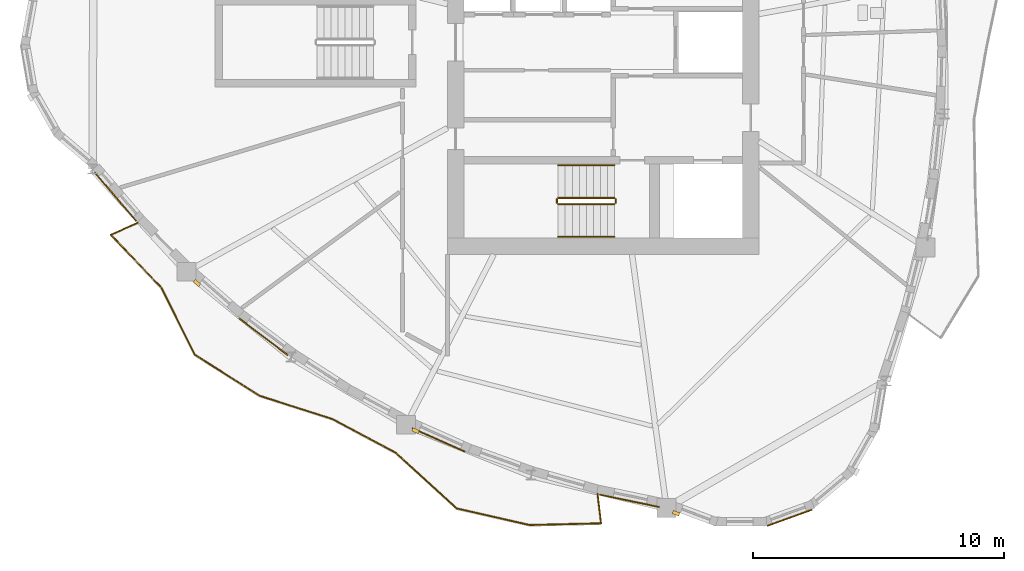
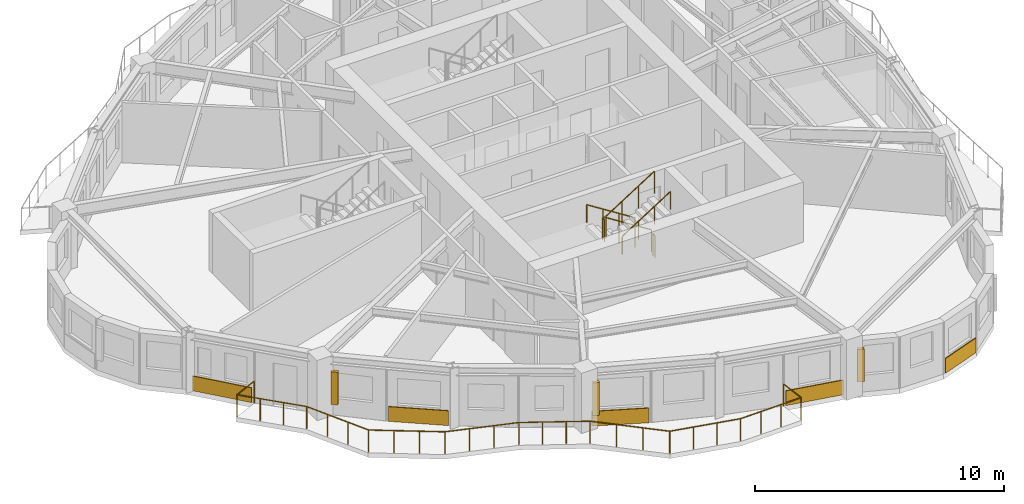
# One storey, part 9 of 12: 7 railings, 5 coverings, 3 shading devices.
"""IFC4 building model written with IfcOpenShell, lengths in metres."""

import ifcopenshell
import ifcopenshell.guid

model = None  # the IFC model being written
_history = None  # IfcOwnerHistory: only IFC2X3 demands one
_inside = {}  # id of a spatial element -> (the spatial element, [elements in it])
_under = {}  # id of a project, library or spatial element -> (it, [spatial elements below it])
_declared = {}  # id of a project -> (the project, [libraries it declares])
_typed = {}  # id of a type object -> (the type object, [elements of that type])
_made_of = {}  # id of a material, layer set ... -> (it, [elements and type objects made of it])


def new_model(schema):
    """Start an empty IFC model of exactly this schema.

    Asked for "IFC4X3", IfcOpenShell would pick the latest addendum, in which some entities
    have other attributes; the version numbers below select the first issue.
    IFC2X3 requires an IfcOwnerHistory on every rooted entity: one is made here for all.
    """
    global model, _history
    if schema == "IFC4X3":
        model = ifcopenshell.file(schema_version=(4, 3, 0, 0))
    else:
        model = ifcopenshell.file(schema=schema)
    _inside.clear()
    _under.clear()
    _declared.clear()
    _typed.clear()
    _made_of.clear()
    _history = None
    if model.schema == "IFC2X3":
        org = make("IfcOrganization", Name="unknown")
        user = make(
            "IfcPersonAndOrganization",
            ThePerson=make("IfcPerson", FamilyName="unknown"),
            TheOrganization=org,
        )
        app = make(
            "IfcApplication",
            ApplicationDeveloper=org,
            Version="unknown",
            ApplicationFullName="unknown",
            ApplicationIdentifier="unknown",
        )
        _history = make(
            "IfcOwnerHistory",
            OwningUser=user,
            OwningApplication=app,
            ChangeAction="ADDED",
            CreationDate=0,
        )
    return model


def make(cls, **values):
    """One entity of the class cls with the attributes given. An attribute that is None is left unset."""
    return model.create_entity(
        cls, **{name: value for name, value in values.items() if value is not None}
    )


def rooted(cls, **values):
    """An entity with a GlobalId (a new one), such as an element, a storey or a relation."""
    return make(cls, GlobalId=ifcopenshell.guid.new(), OwnerHistory=_history, **values)


def si_unit(unit_type, name, prefix=None):
    """IfcSIUnit, for example si_unit("LENGTHUNIT", "METRE", prefix="MILLI")."""
    return make("IfcSIUnit", UnitType=unit_type, Prefix=prefix, Name=name)


def assignment(units):
    """IfcUnitAssignment: the units of a project."""
    return None if units is None else make("IfcUnitAssignment", Units=units)


def point(xyz):
    """IfcCartesianPoint."""
    return None if xyz is None else make("IfcCartesianPoint", Coordinates=xyz)


def direction(xyz):
    """IfcDirection."""
    return None if xyz is None else make("IfcDirection", DirectionRatios=xyz)


def frame(location, z_axis=None, x_axis=None):
    """IfcAxis2Placement3D, a coordinate frame: its origin and axes. An axis left out is left unset."""
    return make(
        "IfcAxis2Placement3D",
        Location=point(location),
        Axis=direction(z_axis),
        RefDirection=direction(x_axis),
    )


def frame_2d(location, x_axis=None):
    """IfcAxis2Placement2D, a coordinate frame in the plane: its origin and x axis."""
    return make(
        "IfcAxis2Placement2D", Location=point(location), RefDirection=direction(x_axis)
    )


def origin():
    """The frame at (0, 0, 0) with its axes left unset."""
    return frame((0.0, 0.0, 0.0))


def origin_2d():
    """The frame at (0, 0) in the plane with its x axis left unset."""
    return frame_2d((0.0, 0.0))


def place(relative_to, where):
    """IfcLocalPlacement: puts the frame where relative to a parent placement (None: the world)."""
    return make(
        "IfcLocalPlacement", PlacementRelTo=relative_to, RelativePlacement=where
    )


def context(
    kind, dimensions, precision=None, world=None, true_north=None, identifier=None
):
    """IfcGeometricRepresentationContext, for example the 3D "Model" context."""
    return make(
        "IfcGeometricRepresentationContext",
        ContextIdentifier=identifier,
        ContextType=kind,
        CoordinateSpaceDimension=dimensions,
        Precision=precision,
        WorldCoordinateSystem=world,
        TrueNorth=true_north,
    )


def subcontext(parent, identifier, kind, view, scale=None):
    """IfcGeometricRepresentationSubContext, for example "Body" below "Model"."""
    return make(
        "IfcGeometricRepresentationSubContext",
        ContextIdentifier=identifier,
        ContextType=kind,
        ParentContext=parent,
        TargetScale=scale,
        TargetView=view,
    )


def project(units=None, contexts=None):
    """IfcProject with its units and contexts."""
    return rooted(
        "IfcProject",
        Name="project",
        RepresentationContexts=contexts,
        UnitsInContext=assignment(units),
    )


def spatial(cls, under=None, at=None, **own):
    """A site, building, storey or space (cls), placed at a placement, below another one or the project."""
    s = rooted(cls, ObjectPlacement=at, **own)
    if under is not None:
        _under.setdefault(under.id(), (under, []))[1].append(s)
    return s


def profile(cls, at=None, kind="AREA", **sizes):
    """A parametric profile (cls). Its sizes go by their IFC names, for example OverallWidth=200.0."""
    return make(cls, ProfileType=kind, Position=at, **sizes)


def rectangle(**sizes):
    """IfcRectangleProfileDef."""
    return profile("IfcRectangleProfileDef", **sizes)


def circle(**sizes):
    """IfcCircleProfileDef."""
    return profile("IfcCircleProfileDef", **sizes)


def extrude(swept, where, along, depth):
    """IfcExtrudedAreaSolid: the profile swept, set in the frame where, extruded along a direction by depth."""
    return make(
        "IfcExtrudedAreaSolid",
        SweptArea=swept,
        Position=where,
        ExtrudedDirection=direction(along),
        Depth=depth,
    )


def shape(context_of_items, identifier, shape_type, items):
    """IfcShapeRepresentation: the items that make up one representation, for example the "Body"."""
    return make(
        "IfcShapeRepresentation",
        ContextOfItems=context_of_items,
        RepresentationIdentifier=identifier,
        RepresentationType=shape_type,
        Items=items,
    )


def source(mapping_origin, context_of_items, identifier, shape_type, items):
    """IfcRepresentationMap: a shape defined once, which mapped items show again and again."""
    return make(
        "IfcRepresentationMap",
        MappingOrigin=mapping_origin,
        MappedRepresentation=shape(context_of_items, identifier, shape_type, items),
    )


def transform(
    local_origin,
    x_axis=None,
    y_axis=None,
    z_axis=None,
    scale=None,
    scale2=None,
    scale3=None,
    uniform=True,
):
    """IfcCartesianTransformationOperator3D, or its non-uniform kind. x_axis, y_axis, z_axis: its Axis1, 2, 3."""
    if uniform:
        return make(
            "IfcCartesianTransformationOperator3D",
            Axis1=direction(x_axis),
            Axis2=direction(y_axis),
            LocalOrigin=point(local_origin),
            Scale=scale,
            Axis3=direction(z_axis),
        )
    return make(
        "IfcCartesianTransformationOperator3DnonUniform",
        Axis1=direction(x_axis),
        Axis2=direction(y_axis),
        LocalOrigin=point(local_origin),
        Scale=scale,
        Axis3=direction(z_axis),
        Scale2=scale2,
        Scale3=scale3,
    )


def mapped(mapping_source, mapping_target):
    """IfcMappedItem: shows the shape of a source again, moved by a transform."""
    return make(
        "IfcMappedItem", MappingSource=mapping_source, MappingTarget=mapping_target
    )


def material(Name=None, Category=None):
    """IfcMaterial."""
    return make("IfcMaterial", Name=Name, Category=Category)


def layer(
    of_material, thickness, ventilated=None, Name=None, Category=None, Priority=None
):
    """IfcMaterialLayer: one layer of a wall or slab, of a material (None: an air gap)."""
    return make(
        "IfcMaterialLayer",
        Material=of_material,
        LayerThickness=thickness,
        IsVentilated=ventilated,
        Name=Name,
        Category=Category,
        Priority=Priority,
    )


def layer_set(layers, Name=None):
    """IfcMaterialLayerSet."""
    return make("IfcMaterialLayerSet", MaterialLayers=layers, LayerSetName=Name)


def made_of(thing, what):
    """Note that an element or type object is made of a material, layer set ...; save() writes the relation."""
    if what is not None:
        _made_of.setdefault(what.id(), (what, []))[1].append(thing)
    return thing


def type_object(cls, material=None, **own):
    """A type object (cls), such as IfcWallType, which elements share."""
    return made_of(rooted(cls, **own), material)


def element(
    cls,
    number,
    at=None,
    inside=None,
    cuts=None,
    type_object=None,
    material=None,
    context=None,
    identifier="Body",
    shape_type=None,
    held_by="IfcProductDefinitionShape",
    body=None,
    shapes=None,
    **own,
):
    """One element of the class cls, such as IfcWall. Its Tag is "e" and its number.

    at: its placement. inside: the storey or other place that contains it. cuts: it is an
    opening in that element (IfcRelVoidsElement). A single representation is given by context,
    identifier, shape_type and body (its items); several are given by shapes. held_by: the class
    of the entity that holds the representations. save() writes the other relations.
    """
    e = rooted(cls, Tag="e%d" % number, ObjectPlacement=at, **own)
    if body is not None:
        shapes = [shape(context, identifier, shape_type, body)]
    if shapes is not None:
        e.Representation = make(held_by, Representations=shapes)
    if inside is not None:
        _inside.setdefault(inside.id(), (inside, []))[1].append(e)
    if cuts is not None:
        rooted(
            "IfcRelVoidsElement", RelatingBuildingElement=cuts, RelatedOpeningElement=e
        )
    if type_object is not None:
        _typed.setdefault(type_object.id(), (type_object, []))[1].append(e)
    return made_of(e, material)


def aggregate(whole, parts):
    """IfcRelAggregates: a whole, such as a stair, and the parts it consists of."""
    return rooted("IfcRelAggregates", RelatingObject=whole, RelatedObjects=parts)


def save(model, path):
    """Write the relations noted so far, then the file.

    IfcRelAggregates (storeys below a building ...), IfcRelContainedInSpatialStructure (elements
    in a storey), IfcRelDefinesByType, IfcRelAssociatesMaterial and IfcRelDeclares: one each for
    every whole, place, type object, material and project.
    """
    for whole, parts in _under.values():
        aggregate(whole, parts)
    for where, things in _inside.values():
        rooted(
            "IfcRelContainedInSpatialStructure",
            RelatedElements=things,
            RelatingStructure=where,
        )
    for kind, things in _typed.values():
        rooted("IfcRelDefinesByType", RelatedObjects=things, RelatingType=kind)
    for what, things in _made_of.values():
        rooted("IfcRelAssociatesMaterial", RelatedObjects=things, RelatingMaterial=what)
    for by, libraries in _declared.values():
        rooted("IfcRelDeclares", RelatingContext=by, RelatedDefinitions=libraries)
    model.write(path)


model = new_model("IFC4")

# Units and contexts
model_context = context("Model", 3, precision=1e-05, world=origin(), true_north=direction((0.0, 1.0)))
body_context = subcontext(model_context, "Body", "Model", "MODEL_VIEW")
ifc_project = project(units=[si_unit("LENGTHUNIT", "METRE"), si_unit("AREAUNIT", "SQUARE_METRE"), si_unit("VOLUMEUNIT", "CUBIC_METRE"), si_unit("PLANEANGLEUNIT", "RADIAN"), si_unit("MASSUNIT", "GRAM", prefix="KILO")], contexts=[model_context])

# Site, building, storey
site_placement = place(None, origin())
site = spatial("IfcSite", under=ifc_project, at=site_placement, CompositionType="ELEMENT")
building_placement = place(site_placement, origin())
building = spatial("IfcBuilding", under=site, at=building_placement, Name="Qafzar Sky-Pleat Residences", CompositionType="ELEMENT")
storey_placement = place(building_placement, frame((0.0, 0.0, 139.39990234375)))
storey = spatial("IfcBuildingStorey", under=building, at=storey_placement, Name="L41", CompositionType="ELEMENT", Elevation=139.39990234375)

# Shading devices
ifc_material_1 = material(Name="Honed Riyadh limestone solar fin", Category="masonry")
ifc_layer_1 = layer(ifc_material_1, 0.139892578125)
ifc_layer_set_1 = layer_set([ifc_layer_1], Name="Honed Riyadh limestone solar fin")
shading_device_type = type_object("IfcShadingDeviceType", Name="SHD-FIN-STONE", PredefinedType="SHUTTER", material=ifc_layer_set_1)
shared_shape_1 = source(origin(), body_context, "Body", "SweptSolid", [
    extrude(rectangle(XDim=0.139892578125, YDim=0.280029296875, at=origin_2d()), origin(), (0.0, 0.0, 1.0), 1.60009765625),
])
for number, where, z_axis, x_axis, name in (
    (1, (14.178955078125, 16.413330078125, 0.60009765625), (0.0, 0.0, 1.0), (-0.660132960779, -0.751148769615, 0.0), "L41 Limestone Solar Fin 9"),
    (2, (22.881591796875, 10.528564453125, 0.60009765625), (0.0, 0.0, 1.0), (-0.407475255667, -0.913216248223, 0.0), "L41 Limestone Solar Fin 13"),
    (3, (33.251220703125, 7.247802734375, 0.60009765625), (0.0, 0.0, 1.0), (-0.349548623526, -0.936918224709, 0.0), "L41 Limestone Solar Fin 17"),
):
    element("IfcShadingDevice", number, at=place(storey_placement, frame(where, z_axis=z_axis, x_axis=x_axis)), inside=storey, type_object=shading_device_type, Name=name, PredefinedType="SHUTTER", context=body_context, shape_type="MappedRepresentation", body=[
        mapped(shared_shape_1, transform((0.0, 0.0, 0.0), x_axis=(1.0, 0.0, 0.0), y_axis=(0.0, 1.0, 0.0), z_axis=(0.0, 0.0, 1.0), scale=1.0)),
    ])

# Railing
ifc_material_2 = material(Name="Laminated glass and bronze steel balustrade", Category="steel")
railing_type_1 = type_object("IfcRailingType", Name="RAIL-BAL-1100", PredefinedType="BALUSTRADE", material=ifc_material_2)
shared_shape_2 = source(origin(), body_context, "Body", "SweptSolid", [
    extrude(circle(Radius=0.02392578125, at=origin_2d()), frame((0.0, 0.0, 1.076171875), z_axis=(-0.913854279683, -0.40604230753, 0.0), x_axis=(0.40604230753, -0.913854279683, 0.0)), (0.0, 0.0, 1.0), 1.177978515625),
    extrude(circle(Radius=0.02392578125, at=origin_2d()), frame((-1.076416015625, -0.478271484375, 1.076171875), z_axis=(0.689122792825, -0.724644586269, 0.0), x_axis=(0.724644586269, 0.689122792825, 0.0)), (0.0, 0.0, 1.0), 2.9208984375),
    extrude(circle(Radius=0.02392578125, at=origin_2d()), frame((0.9365234375, -2.594970703125, 1.076171875), z_axis=(0.446688581475, -0.89468950546, 0.0), x_axis=(0.89468950546, 0.446688581475, 0.0)), (0.0, 0.0, 1.0), 2.9765625),
    extrude(circle(Radius=0.02392578125, at=origin_2d()), frame((2.26611328125, -5.258056640625, 1.076171875), z_axis=(0.844789039348, -0.535099503829, 0.0), x_axis=(0.535099503829, 0.844789039348, 0.0)), (0.0, 0.0, 1.0), 3.06201171875),
    extrude(circle(Radius=0.02392578125, at=origin_2d()), frame((4.852783203125, -6.896484375, 1.076171875), z_axis=(0.952897316777, -0.303293098635, 0.0), x_axis=(0.303293098635, 0.952897316777, 0.0)), (0.0, 0.0, 1.0), 3.0419921875),
    extrude(circle(Radius=0.02392578125, at=origin_2d()), frame((7.75146484375, -7.819091796875, 1.076171875), z_axis=(0.881975846581, -0.471294606428, 0.0), x_axis=(0.471294606428, 0.881975846581, 0.0)), (0.0, 0.0, 1.0), 2.851806640625),
    extrude(circle(Radius=0.02392578125, at=origin_2d()), frame((10.2666015625, -9.1630859375, 1.076171875), z_axis=(0.73837595061, -0.674389320468, 0.0), x_axis=(0.674389320468, 0.73837595061, 0.0)), (0.0, 0.0, 1.0), 3.28125),
    extrude(circle(Radius=0.02392578125, at=origin_2d()), frame((12.689453125, -11.3759765625, 1.076171875), z_axis=(0.97508449736, -0.221833773369, 0.0), x_axis=(0.221833773369, 0.97508449736, 0.0)), (0.0, 0.0, 1.0), 2.97705078125),
    extrude(circle(Radius=0.02392578125, at=origin_2d()), frame((15.59228515625, -12.036376953125, 1.076171875), z_axis=(0.999727601991, 0.023339276263, 0.0), x_axis=(-0.023339276263, 0.999727601991, 0.0)), (0.0, 0.0, 1.0), 2.84521484375),
    extrude(circle(Radius=0.02392578125, at=origin_2d()), frame((18.436767578125, -11.969970703125, 1.076171875), z_axis=(-0.117526723313, 0.993069720265, 0.0), x_axis=(-0.993069720265, -0.117526723313, 0.0)), (0.0, 0.0, 1.0), 1.177734375),
    extrude(circle(Radius=0.02099609375, at=origin_2d()), origin(), (0.0, 0.0, 1.0), 1.052001953125),
    extrude(circle(Radius=0.02099609375, at=origin_2d()), frame((-1.076416015625, -0.478271484375, 0.0)), (0.0, 0.0, 1.0), 1.052001953125),
    extrude(circle(Radius=0.02099609375, at=origin_2d()), frame((-0.405517578125, -1.183837890625, 0.0)), (0.0, 0.0, 1.0), 1.052001953125),
    extrude(circle(Radius=0.02099609375, at=origin_2d()), frame((0.265625, -1.889404296875, 0.0)), (0.0, 0.0, 1.0), 1.052001953125),
    extrude(circle(Radius=0.02099609375, at=origin_2d()), frame((0.9365234375, -2.594970703125, 0.0)), (0.0, 0.0, 1.0), 1.052001953125),
    extrude(circle(Radius=0.02099609375, at=origin_2d()), frame((1.379638671875, -3.482666015625, 0.0)), (0.0, 0.0, 1.0), 1.052001953125),
    extrude(circle(Radius=0.02099609375, at=origin_2d()), frame((1.822998046875, -4.370361328125, 0.0)), (0.0, 0.0, 1.0), 1.052001953125),
    extrude(circle(Radius=0.02099609375, at=origin_2d()), frame((2.26611328125, -5.258056640625, 0.0)), (0.0, 0.0, 1.0), 1.052001953125),
    extrude(circle(Radius=0.02099609375, at=origin_2d()), frame((3.12841796875, -5.80419921875, 0.0)), (0.0, 0.0, 1.0), 1.052001953125),
    extrude(circle(Radius=0.02099609375, at=origin_2d()), frame((3.990478515625, -6.350341796875, 0.0)), (0.0, 0.0, 1.0), 1.052001953125),
    extrude(circle(Radius=0.02099609375, at=origin_2d()), frame((4.852783203125, -6.896484375, 0.0)), (0.0, 0.0, 1.0), 1.052001953125),
    extrude(circle(Radius=0.02099609375, at=origin_2d()), frame((5.819091796875, -7.2041015625, 0.0)), (0.0, 0.0, 1.0), 1.052001953125),
    extrude(circle(Radius=0.02099609375, at=origin_2d()), frame((6.78515625, -7.511474609375, 0.0)), (0.0, 0.0, 1.0), 1.052001953125),
    extrude(circle(Radius=0.02099609375, at=origin_2d()), frame((7.75146484375, -7.819091796875, 0.0)), (0.0, 0.0, 1.0), 1.052001953125),
    extrude(circle(Radius=0.02099609375, at=origin_2d()), frame((8.58984375, -8.26708984375, 0.0)), (0.0, 0.0, 1.0), 1.052001953125),
    extrude(circle(Radius=0.02099609375, at=origin_2d()), frame((9.42822265625, -8.715087890625, 0.0)), (0.0, 0.0, 1.0), 1.052001953125),
    extrude(circle(Radius=0.02099609375, at=origin_2d()), frame((10.2666015625, -9.1630859375, 0.0)), (0.0, 0.0, 1.0), 1.052001953125),
    extrude(circle(Radius=0.02099609375, at=origin_2d()), frame((11.07421875, -9.900634765625, 0.0)), (0.0, 0.0, 1.0), 1.052001953125),
    extrude(circle(Radius=0.02099609375, at=origin_2d()), frame((11.8818359375, -10.638427734375, 0.0)), (0.0, 0.0, 1.0), 1.052001953125),
    extrude(circle(Radius=0.02099609375, at=origin_2d()), frame((12.689453125, -11.3759765625, 0.0)), (0.0, 0.0, 1.0), 1.052001953125),
    extrude(circle(Radius=0.02099609375, at=origin_2d()), frame((13.656982421875, -11.59619140625, 0.0)), (0.0, 0.0, 1.0), 1.052001953125),
    extrude(circle(Radius=0.02099609375, at=origin_2d()), frame((14.624755859375, -11.816162109375, 0.0)), (0.0, 0.0, 1.0), 1.052001953125),
    extrude(circle(Radius=0.02099609375, at=origin_2d()), frame((15.59228515625, -12.036376953125, 0.0)), (0.0, 0.0, 1.0), 1.052001953125),
    extrude(circle(Radius=0.02099609375, at=origin_2d()), frame((16.54052734375, -12.01416015625, 0.0)), (0.0, 0.0, 1.0), 1.052001953125),
    extrude(circle(Radius=0.02099609375, at=origin_2d()), frame((17.488525390625, -11.9921875, 0.0)), (0.0, 0.0, 1.0), 1.052001953125),
    extrude(circle(Radius=0.02099609375, at=origin_2d()), frame((18.436767578125, -11.969970703125, 0.0)), (0.0, 0.0, 1.0), 1.052001953125),
    extrude(circle(Radius=0.02099609375, at=origin_2d()), frame((18.29833984375, -10.80029296875, 0.0)), (0.0, 0.0, 1.0), 1.052001953125),
])
railing_1_placement = place(storey_placement, frame((11.8291015625, 18.81396484375, 0.0)))
element("IfcRailing", 4, at=railing_1_placement, inside=storey, type_object=railing_type_1, Name="L41 Pleated Balcony 3 Balustrade", PredefinedType="BALUSTRADE", context=body_context, shape_type="MappedRepresentation", body=[
    mapped(shared_shape_2, transform((0.0, 0.0, 0.0), x_axis=(1.0, 0.0, 0.0), y_axis=(0.0, 1.0, 0.0), z_axis=(0.0, 0.0, 1.0), scale=1.0)),
])

# Coverings
ifc_material_3 = material(Name="Honed Riyadh Tuwaiq limestone cladding", Category="masonry")
ifc_layer_2 = layer(ifc_material_3, 0.044921875)
ifc_layer_set_2 = layer_set([ifc_layer_2], Name="Honed Riyadh Tuwaiq limestone cladding")
covering_type = type_object("IfcCoveringType", Name="COV-CLAD-STONE", PredefinedType="CLADDING", material=ifc_layer_set_2)
shared_shape_3 = source(origin(), body_context, "Body", "SweptSolid", [
    extrude(rectangle(XDim=2.540771484375, YDim=0.044921875, at=origin_2d()), origin(), (0.0, 0.0, 1.0), 0.719970703125),
])
covering_1_placement = place(storey_placement, frame((10.93017578125, 19.847900390625, 0.02001953125), z_axis=(0.0, 0.0, 1.0), x_axis=(0.650356635894, -0.759629018764, 0.0)))
element("IfcCovering", 5, at=covering_1_placement, inside=storey, type_object=covering_type, Name="L41 Riyadh Limestone Spandrel Cladding 7", PredefinedType="CLADDING", context=body_context, shape_type="MappedRepresentation", body=[
    mapped(shared_shape_3, transform((0.0, 0.0, 0.0), x_axis=(1.0, 0.0, 0.0), y_axis=(0.0, 1.0, 0.0), z_axis=(0.0, 0.0, 1.0), scale=1.0)),
])
shared_shape_4 = source(origin(), body_context, "Body", "SweptSolid", [
    extrude(rectangle(XDim=2.42041015625, YDim=0.044921875, at=origin_2d()), origin(), (0.0, 0.0, 1.0), 0.719970703125),
])
covering_2_placement = place(storey_placement, frame((16.825927734375, 14.2734375, 0.02001953125), z_axis=(0.0, 0.0, 1.0), x_axis=(0.798068371718, -0.602566904222, 0.0)))
element("IfcCovering", 6, at=covering_2_placement, inside=storey, type_object=covering_type, Name="L41 Riyadh Limestone Spandrel Cladding 10", PredefinedType="CLADDING", context=body_context, shape_type="MappedRepresentation", body=[
    mapped(shared_shape_4, transform((0.0, 0.0, 0.0), x_axis=(1.0, 0.0, 0.0), y_axis=(0.0, 1.0, 0.0), z_axis=(0.0, 0.0, 1.0), scale=1.0)),
])
shared_shape_5 = source(origin(), body_context, "Body", "SweptSolid", [
    extrude(rectangle(XDim=2.298828125, YDim=0.044921875, at=origin_2d()), origin(), (0.0, 0.0, 1.0), 0.719970703125),
])
covering_3_placement = place(storey_placement, frame((23.798583984375, 10.16650390625, 0.02001953125), z_axis=(0.0, 0.0, 1.0), x_axis=(0.913222957215, -0.407460219427, 0.0)))
element("IfcCovering", 7, at=covering_3_placement, inside=storey, type_object=covering_type, Name="L41 Riyadh Limestone Spandrel Cladding 13", PredefinedType="CLADDING", context=body_context, shape_type="MappedRepresentation", body=[
    mapped(shared_shape_5, transform((0.0, 0.0, 0.0), x_axis=(1.0, 0.0, 0.0), y_axis=(0.0, 1.0, 0.0), z_axis=(0.0, 0.0, 1.0), scale=1.0)),
])
shared_shape_6 = source(origin(), body_context, "Body", "SweptSolid", [
    extrude(rectangle(XDim=2.41943359375, YDim=0.044921875, at=origin_2d()), origin(), (0.0, 0.0, 1.0), 0.719970703125),
])
covering_4_placement = place(storey_placement, frame((31.400634765625, 7.739990234375, 0.02001953125), z_axis=(0.0, 0.0, 1.0), x_axis=(0.979325013532, -0.202293148352, 0.0)))
element("IfcCovering", 8, at=covering_4_placement, inside=storey, type_object=covering_type, Name="L41 Riyadh Limestone Spandrel Cladding 16", PredefinedType="CLADDING", context=body_context, shape_type="MappedRepresentation", body=[
    mapped(shared_shape_6, transform((0.0, 0.0, 0.0), x_axis=(1.0, 0.0, 0.0), y_axis=(0.0, 1.0, 0.0), z_axis=(0.0, 0.0, 1.0), scale=1.0)),
])
shared_shape_7 = source(origin(), body_context, "Body", "SweptSolid", [
    extrude(rectangle(XDim=1.897705078125, YDim=0.044921875, at=origin_2d()), origin(), (0.0, 0.0, 1.0), 0.719970703125),
])
covering_5_placement = place(storey_placement, frame((37.773193359375, 7.063232421875, 0.02001953125), z_axis=(0.0, 0.0, 1.0), x_axis=(0.940241244016, 0.340509035199, 0.0)))
element("IfcCovering", 9, at=covering_5_placement, inside=storey, type_object=covering_type, Name="L41 Riyadh Limestone Spandrel Cladding 19", PredefinedType="CLADDING", context=body_context, shape_type="MappedRepresentation", body=[
    mapped(shared_shape_7, transform((0.0, 0.0, 0.0), x_axis=(1.0, 0.0, 0.0), y_axis=(0.0, 1.0, 0.0), z_axis=(0.0, 0.0, 1.0), scale=1.0)),
])

# Railings
ifc_material_4 = material(Name="Painted Steel S355 stair guardrail", Category="steel")
railing_type_2 = type_object("IfcRailingType", Name="RAIL-STAIR-GUARD", PredefinedType="GUARDRAIL", material=ifc_material_4)
shared_shape_8 = source(origin(), body_context, "Body", "SweptSolid", [
    extrude(circle(Radius=0.02392578125, at=origin_2d()), frame((0.0, 0.0, 1.076171875), z_axis=(0.0, -1.0, 0.0), x_axis=(1.0, 0.0, 0.0)), (0.0, 0.0, 1.0), 0.14990234375),
    extrude(circle(Radius=0.02099609375, at=origin_2d()), origin(), (0.0, 0.0, 1.0), 1.052001953125),
    extrude(circle(Radius=0.02099609375, at=origin_2d()), frame((0.0, -0.14990234375, 0.0)), (0.0, 0.0, 1.0), 1.052001953125),
])
for number, where, name in (
    (10, (28.510009765625, 19.75, 1.60009765625), "L41 ST1 stair guard 2"),
    (11, (30.85009765625, 19.75, 0.0), "L41 ST1 stair guard 4"),
):
    element("IfcRailing", number, at=place(storey_placement, frame(where)), inside=storey, type_object=railing_type_2, Name=name, PredefinedType="GUARDRAIL", context=body_context, shape_type="MappedRepresentation", body=[
        mapped(shared_shape_8, transform((0.0, 0.0, 0.0), x_axis=(1.0, 0.0, 0.0), y_axis=(0.0, 1.0, 0.0), z_axis=(0.0, 0.0, 1.0), scale=1.0)),
    ])
shared_shape_9 = source(origin(), body_context, "Body", "SweptSolid", [
    extrude(circle(Radius=0.02392578125, at=origin_2d()), frame((0.0, 0.0, 1.076171875), z_axis=(-0.8442293374, 0.0, 0.53598211339), x_axis=(0.0, -1.0, 0.0)), (0.0, 0.0, 1.0), 2.6533203125),
    extrude(circle(Radius=0.02099609375, at=origin_2d()), origin(), (0.0, 0.0, 1.0), 1.052001953125),
    extrude(circle(Radius=0.02099609375, at=origin_2d()), frame((-0.74658203125, 0.0, 0.47412109375)), (0.0, 0.0, 1.0), 1.052001953125),
    extrude(circle(Radius=0.02099609375, at=origin_2d()), frame((-1.493408203125, 0.0, 0.947998046875)), (0.0, 0.0, 1.0), 1.052001953125),
    extrude(circle(Radius=0.02099609375, at=origin_2d()), frame((-2.239990234375, 0.0, 1.422119140625)), (0.0, 0.0, 1.0), 1.052001953125),
])
railing_2_placement = place(storey_placement, frame((30.800048828125, 19.800048828125, 0.177978515625)))
element("IfcRailing", 12, at=railing_2_placement, inside=storey, type_object=railing_type_2, Name="L41 ST1 stair guard 1", PredefinedType="GUARDRAIL", context=body_context, shape_type="MappedRepresentation", body=[
    mapped(shared_shape_9, transform((0.0, 0.0, 0.0), x_axis=(1.0, 0.0, 0.0), y_axis=(0.0, 1.0, 0.0), z_axis=(0.0, 0.0, 1.0), scale=1.0)),
])
ifc_material_5 = material(Name="Brushed stainless steel handrail", Category="steel")
railing_type_3 = type_object("IfcRailingType", Name="RAIL-STAIR-HAND", PredefinedType="HANDRAIL", material=ifc_material_5)
shared_shape_10 = source(origin(), body_context, "Body", "SweptSolid", [
    extrude(circle(Radius=0.02392578125, at=origin_2d()), frame((0.0, 0.0, 0.8759765625), z_axis=(-0.8442293374, 0.0, 0.53598211339), x_axis=(0.0, -1.0, 0.0)), (0.0, 0.0, 1.0), 2.6533203125),
    extrude(circle(Radius=0.02099609375, at=origin_2d()), origin(), (0.0, 0.0, 1.0), 0.851806640625),
    extrude(circle(Radius=0.02099609375, at=origin_2d()), frame((-0.74658203125, 0.0, 0.47412109375)), (0.0, 0.0, 1.0), 0.851806640625),
    extrude(circle(Radius=0.02099609375, at=origin_2d()), frame((-1.493408203125, 0.0, 0.947998046875)), (0.0, 0.0, 1.0), 0.851806640625),
    extrude(circle(Radius=0.02099609375, at=origin_2d()), frame((-2.239990234375, 0.0, 1.422119140625)), (0.0, 0.0, 1.0), 0.851806640625),
])
railing_3_placement = place(storey_placement, frame((30.800048828125, 21.10009765625, 0.177978515625)))
element("IfcRailing", 13, at=railing_3_placement, inside=storey, type_object=railing_type_3, Name="L41 ST1 stair handrail 1", PredefinedType="HANDRAIL", context=body_context, shape_type="MappedRepresentation", body=[
    mapped(shared_shape_10, transform((0.0, 0.0, 0.0), x_axis=(1.0, 0.0, 0.0), y_axis=(0.0, 1.0, 0.0), z_axis=(0.0, 0.0, 1.0), scale=1.0)),
])
shared_shape_11 = source(origin(), body_context, "Body", "SweptSolid", [
    extrude(circle(Radius=0.02392578125, at=origin_2d()), frame((0.0, 0.0, 1.076171875), z_axis=(0.84418770128, 0.0, 0.536047689118), x_axis=(0.0, 1.0, 0.0)), (0.0, 0.0, 1.0), 2.6533203125),
    extrude(circle(Radius=0.02099609375, at=origin_2d()), origin(), (0.0, 0.0, 1.0), 1.052001953125),
    extrude(circle(Radius=0.02099609375, at=origin_2d()), frame((0.74658203125, 0.0, 0.47412109375)), (0.0, 0.0, 1.0), 1.052001953125),
    extrude(circle(Radius=0.02099609375, at=origin_2d()), frame((1.493408203125, 0.0, 0.9482421875)), (0.0, 0.0, 1.0), 1.052001953125),
    extrude(circle(Radius=0.02099609375, at=origin_2d()), frame((2.239990234375, 0.0, 1.42236328125)), (0.0, 0.0, 1.0), 1.052001953125),
])
railing_4_placement = place(storey_placement, frame((28.56005859375, 19.550048828125, 1.77783203125)))
element("IfcRailing", 14, at=railing_4_placement, inside=storey, type_object=railing_type_2, Name="L41 ST1 stair guard 3", PredefinedType="GUARDRAIL", context=body_context, shape_type="MappedRepresentation", body=[
    mapped(shared_shape_11, transform((0.0, 0.0, 0.0), x_axis=(1.0, 0.0, 0.0), y_axis=(0.0, 1.0, 0.0), z_axis=(0.0, 0.0, 1.0), scale=1.0)),
])
shared_shape_12 = source(origin(), body_context, "Body", "SweptSolid", [
    extrude(circle(Radius=0.02392578125, at=origin_2d()), frame((0.0, 0.0, 0.8759765625), z_axis=(0.84418770128, 0.0, 0.536047689118), x_axis=(0.0, 1.0, 0.0)), (0.0, 0.0, 1.0), 2.6533203125),
    extrude(circle(Radius=0.02099609375, at=origin_2d()), origin(), (0.0, 0.0, 1.0), 0.851806640625),
    extrude(circle(Radius=0.02099609375, at=origin_2d()), frame((0.74658203125, 0.0, 0.47412109375)), (0.0, 0.0, 1.0), 0.851806640625),
    extrude(circle(Radius=0.02099609375, at=origin_2d()), frame((1.493408203125, 0.0, 0.9482421875)), (0.0, 0.0, 1.0), 0.851806640625),
    extrude(circle(Radius=0.02099609375, at=origin_2d()), frame((2.239990234375, 0.0, 1.42236328125)), (0.0, 0.0, 1.0), 0.851806640625),
])
railing_5_placement = place(storey_placement, frame((28.56005859375, 18.25, 1.77783203125)))
element("IfcRailing", 15, at=railing_5_placement, inside=storey, type_object=railing_type_3, Name="L41 ST1 stair handrail 2", PredefinedType="HANDRAIL", context=body_context, shape_type="MappedRepresentation", body=[
    mapped(shared_shape_12, transform((0.0, 0.0, 0.0), x_axis=(1.0, 0.0, 0.0), y_axis=(0.0, 1.0, 0.0), z_axis=(0.0, 0.0, 1.0), scale=1.0)),
])

save(model, "model.ifc")
